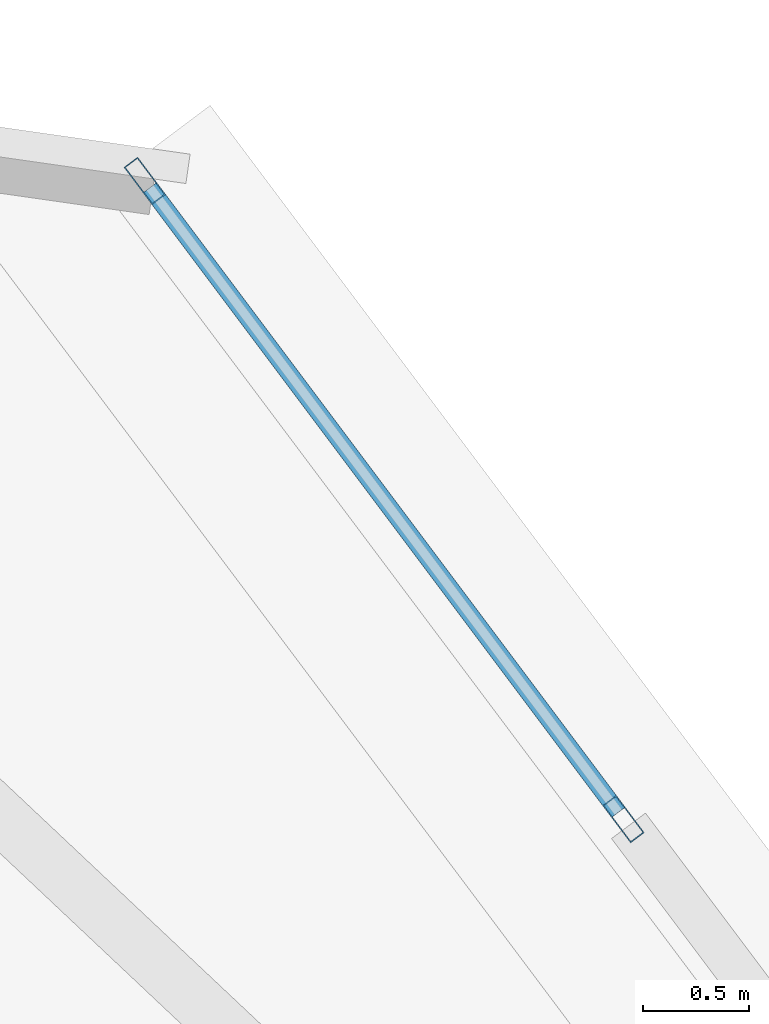
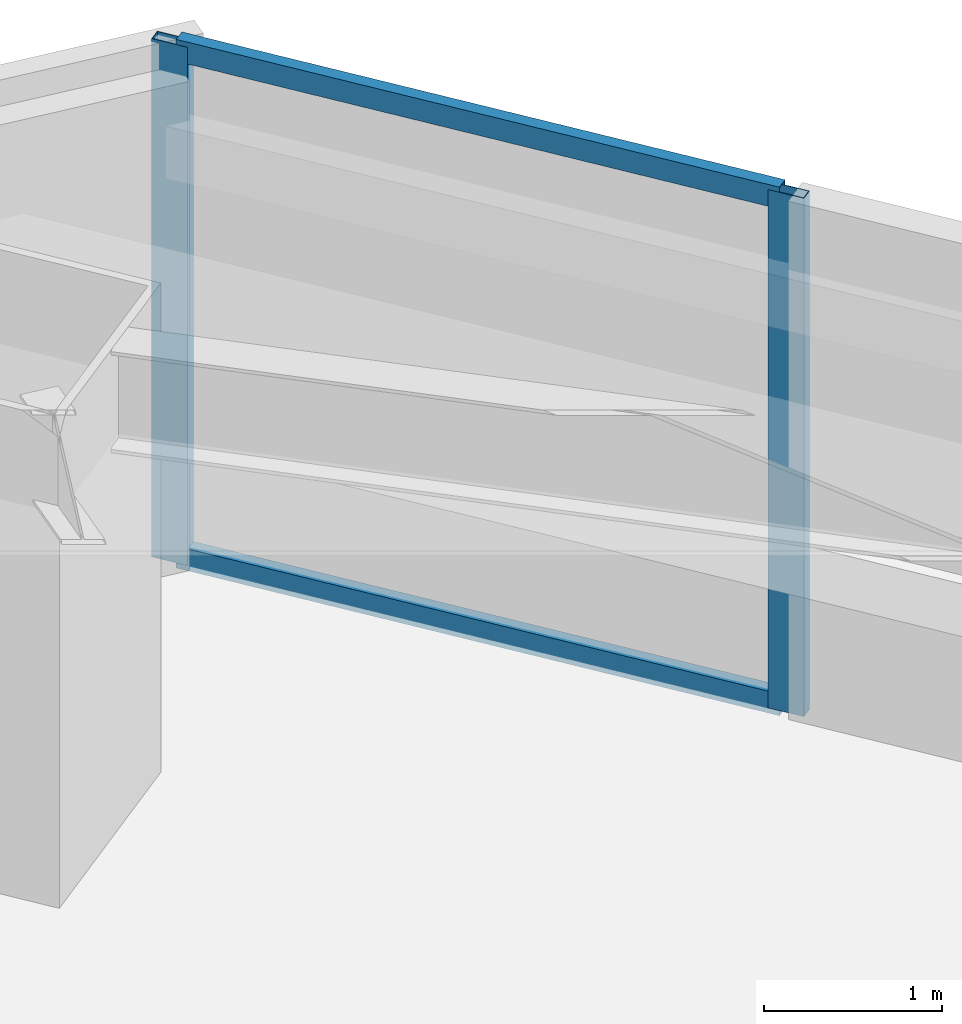
# One storey, part 35 of 48: 4 members, 1 element without a shape of its own.
"""IFC4 building model written with IfcOpenShell, lengths in metres."""

from ifc_helpers import new_model, si_unit, direction, frame, origin, origin_2d, place, context, subcontext, project, spatial, hollow_rectangle, extrude, material, material_profile, profile_set, type_object, element, aggregate, save


model = new_model("IFC4")

# Units and contexts
model_context = context("Model", 3, precision=1e-05, world=origin(), true_north=direction((0.0, 1.0)))
body_context = subcontext(model_context, "Body", "Model", "MODEL_VIEW")
ifc_project = project(units=[si_unit("LENGTHUNIT", "METRE"), si_unit("AREAUNIT", "SQUARE_METRE"), si_unit("VOLUMEUNIT", "CUBIC_METRE"), si_unit("PLANEANGLEUNIT", "RADIAN"), si_unit("MASSUNIT", "GRAM", prefix="KILO")], contexts=[model_context])

# Site, building, storey
site_placement = place(None, origin())
site = spatial("IfcSite", under=ifc_project, at=site_placement, CompositionType="ELEMENT")
building_placement = place(site_placement, origin())
building = spatial("IfcBuilding", under=site, at=building_placement, Name="Tashvorn Skyway Center", CompositionType="ELEMENT")
storey_placement = place(building_placement, frame((0.0, 0.0, 77.85009765625)))
storey = spatial("IfcBuildingStorey", under=building, at=storey_placement, Name="L20", CompositionType="ELEMENT", Elevation=77.85009765625)

# Curtain wall, members
ifc_material = material(Name="Thermally broken bronze-anodized aluminium 6063-T6", Category="aluminium")
curtain_wall_type = type_object("IfcCurtainWallType", Name="CW-CW-Z2", PredefinedType="NOTDEFINED", material=ifc_material)
curtain_wall_placement = place(storey_placement, origin())
curtain_wall = element("IfcCurtainWall", 1, at=curtain_wall_placement, inside=storey, type_object=curtain_wall_type, Name="Tower 2 L20 East Unitised Curtain Wall Glazing Group 1", PredefinedType="NOTDEFINED")
ifc_material_profile_1 = material_profile(ifc_material, hollow_rectangle(XDim=0.080078125, YDim=0.219970703125, WallThickness=0.0048828125, at=origin_2d()), Name="ALU-MULL-80x220")
ifc_profile_set_1 = profile_set([ifc_material_profile_1], Name="Thermally broken bronze-anodized aluminium 6063-T6")
member_type_1 = type_object("IfcMemberType", Name="CWM-CW-Z2", PredefinedType="MULLION", material=ifc_profile_set_1)
member_1_placement = place(storey_placement, frame((119.56005859375, 57.719970703125, 0.0), z_axis=(0.0, 0.0, 1.0), x_axis=(0.799999999998, 0.600000000002, 0.0)))
member_1 = element("IfcMember", 2, at=member_1_placement, type_object=member_type_1, Name="CW-Z2 mullion 1", PredefinedType="MULLION", context=body_context, shape_type="SweptSolid", body=[
    extrude(hollow_rectangle(XDim=0.080078125, YDim=0.219970703125, WallThickness=0.0048828125, at=origin_2d()), origin(), (0.0, 0.0, 1.0), 3.5498046875),
])
member_2_placement = place(storey_placement, frame((121.81591796875, 54.7119140625, 0.0), z_axis=(0.0, 0.0, 1.0), x_axis=(0.799999999998, 0.600000000002, 0.0)))
member_2 = element("IfcMember", 3, at=member_2_placement, type_object=member_type_1, Name="CW-Z2 mullion 2", PredefinedType="MULLION", context=body_context, shape_type="SweptSolid", body=[
    extrude(hollow_rectangle(XDim=0.080078125, YDim=0.219970703125, WallThickness=0.0048828125, at=origin_2d()), origin(), (0.0, 0.0, 1.0), 3.5498046875),
])
ifc_material_profile_2 = material_profile(ifc_material, hollow_rectangle(XDim=0.080078125, YDim=0.14990234375, WallThickness=0.00439453125, at=origin_2d()), Name="ALU-TRAN-80x150")
ifc_profile_set_2 = profile_set([ifc_material_profile_2], Name="Thermally broken bronze-anodized aluminium 6063-T6")
member_type_2 = type_object("IfcMemberType", Name="CWT-CW-Z2", PredefinedType="USERDEFINED", material=ifc_profile_set_2)
member_3_placement = place(storey_placement, frame((119.583984375, 57.68798828125, 0.039794921875), z_axis=(0.599989385363, -0.800007960868, 0.0), x_axis=(0.800007960868, 0.599989385363, 0.0)))
member_3 = element("IfcMember", 4, at=member_3_placement, type_object=member_type_2, Name="CW-Z2 transom 1.1", ObjectType="TRANSOM", PredefinedType="USERDEFINED", context=body_context, shape_type="SweptSolid", body=[
    extrude(hollow_rectangle(XDim=0.080078125, YDim=0.14990234375, WallThickness=0.00439453125, at=origin_2d()), origin(), (0.0, 0.0, 1.0), 3.68017578125),
])
member_4_placement = place(storey_placement, frame((119.583984375, 57.68798828125, 3.510009765625), z_axis=(0.599989385363, -0.800007960868, 0.0), x_axis=(0.800007960868, 0.599989385363, 0.0)))
member_4 = element("IfcMember", 5, at=member_4_placement, type_object=member_type_2, Name="CW-Z2 transom 1.2", ObjectType="TRANSOM", PredefinedType="USERDEFINED", context=body_context, shape_type="SweptSolid", body=[
    extrude(hollow_rectangle(XDim=0.080078125, YDim=0.14990234375, WallThickness=0.00439453125, at=origin_2d()), origin(), (0.0, 0.0, 1.0), 3.68017578125),
])
aggregate(curtain_wall, [member_1, member_2, member_3, member_4])

save(model, "model.ifc")
